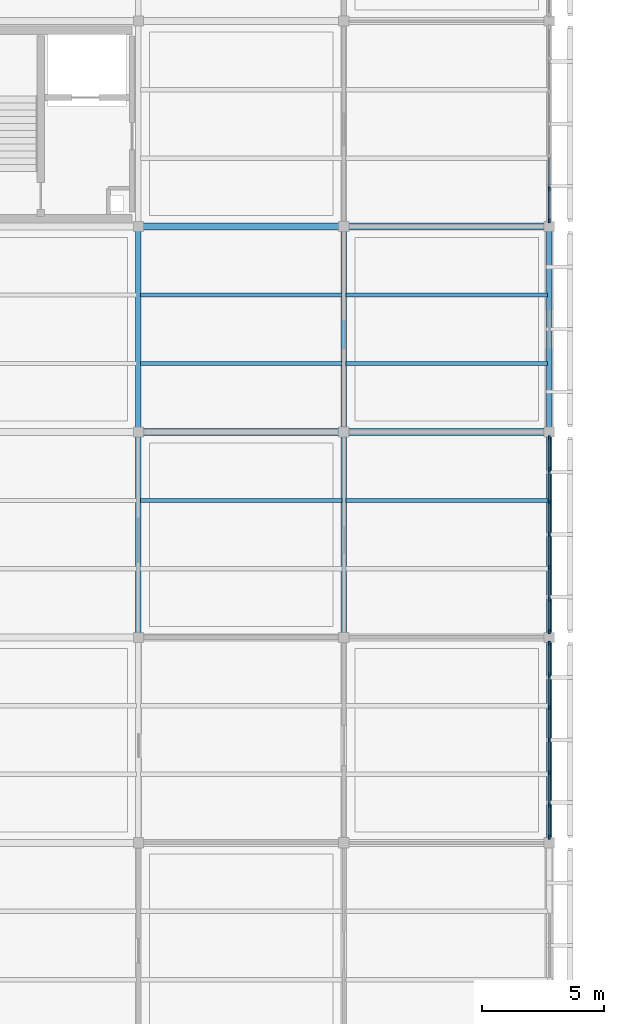
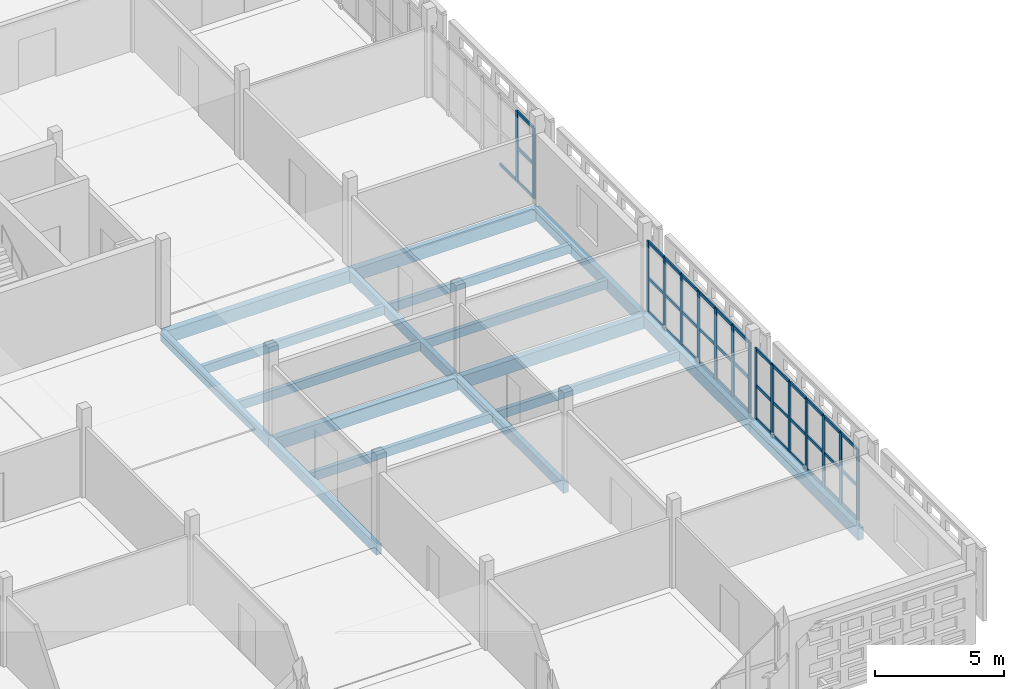
# One storey, part 70 of 166: 56 members, 17 beams, 3 elements without a shape of their own.
"""IFC4 building model written with IfcOpenShell, lengths in metres."""

from ifc_helpers import new_model, si_unit, direction, frame, origin, origin_2d, place, context, subcontext, project, spatial, rectangle, extrude, material, layer, layer_set, material_profile, profile_set, type_object, element, aggregate, save


model = new_model("IFC4")

# Units and contexts
model_context = context("Model", 3, precision=1e-05, world=origin(), true_north=direction((0.0, 1.0)))
body_context = subcontext(model_context, "Body", "Model", "MODEL_VIEW")
ifc_project = project(units=[si_unit("LENGTHUNIT", "METRE"), si_unit("AREAUNIT", "SQUARE_METRE"), si_unit("VOLUMEUNIT", "CUBIC_METRE"), si_unit("PLANEANGLEUNIT", "RADIAN"), si_unit("MASSUNIT", "GRAM", prefix="KILO")], contexts=[model_context])

# Site, building, storey
site_placement = place(None, origin())
site = spatial("IfcSite", under=ifc_project, at=site_placement, CompositionType="ELEMENT")
building_placement = place(site_placement, origin())
building = spatial("IfcBuilding", under=site, at=building_placement, Name="Varnapada Polytechnic", CompositionType="ELEMENT")
storey_placement = place(building_placement, frame((0.0, 0.0, 9.60009765625)))
storey = spatial("IfcBuildingStorey", under=building, at=storey_placement, Name="L02", CompositionType="ELEMENT", Elevation=9.60009765625)

# Curtain wall, members
ifc_material_1 = material(Name="Double low-E laminated glass", Category="glass")
ifc_layer = layer(ifc_material_1, 0.179931640625)
ifc_layer_set = layer_set([ifc_layer], Name="Double low-E laminated glass")
curtain_wall_type = type_object("IfcCurtainWallType", Name="Curtain Wall CW-04", PredefinedType="NOTDEFINED", material=ifc_layer_set)
curtain_wall_1_placement = place(storey_placement, origin())
curtain_wall_1 = element("IfcCurtainWall", 1, at=curtain_wall_1_placement, inside=storey, type_object=curtain_wall_type, Name="L02 unitised curtain wall CW-04 (201)", PredefinedType="NOTDEFINED")
ifc_material_2 = material(Name="Anodised aluminium", Category="aluminium")
ifc_material_profile_1 = material_profile(ifc_material_2, rectangle(XDim=0.06494140625, YDim=0.179931640625, at=origin_2d()), Name="ALU M65x180")
ifc_profile_set_1 = profile_set([ifc_material_profile_1], Name="Anodised aluminium")
member_type_1 = type_object("IfcMemberType", Name="Mullion M-02", PredefinedType="MULLION", material=ifc_profile_set_1)
member_1_placement = place(storey_placement, frame((176.39990234375, 75.357421875, 0.0), z_axis=(0.0, 0.0, 1.0), x_axis=(1.0, 0.0, 0.0)))
member_1 = element("IfcMember", 2, at=member_1_placement, type_object=member_type_1, Name="CW-04 mullion 1", PredefinedType="MULLION", context=body_context, shape_type="SweptSolid", body=[
    extrude(rectangle(XDim=0.06494140625, YDim=0.179931640625, at=origin_2d()), origin(), (0.0, 0.0, 1.0), 3.35986328125),
])
member_2_placement = place(storey_placement, frame((176.39990234375, 74.06005859375, 0.0), z_axis=(0.0, 0.0, 1.0), x_axis=(1.0, 0.0, 0.0)))
member_2 = element("IfcMember", 3, at=member_2_placement, type_object=member_type_1, Name="CW-04 mullion 2", PredefinedType="MULLION", context=body_context, shape_type="SweptSolid", body=[
    extrude(rectangle(XDim=0.06494140625, YDim=0.179931640625, at=origin_2d()), origin(), (0.0, 0.0, 1.0), 3.35986328125),
])
member_3_placement = place(storey_placement, frame((176.39990234375, 72.72998046875, 0.0), z_axis=(0.0, 0.0, 1.0), x_axis=(1.0, 0.0, 0.0)))
member_3 = element("IfcMember", 4, at=member_3_placement, type_object=member_type_1, Name="CW-04 mullion 3", PredefinedType="MULLION", context=body_context, shape_type="SweptSolid", body=[
    extrude(rectangle(XDim=0.06494140625, YDim=0.179931640625, at=origin_2d()), origin(), (0.0, 0.0, 1.0), 3.35986328125),
])
member_4_placement = place(storey_placement, frame((176.39990234375, 71.39990234375, 0.0), z_axis=(0.0, 0.0, 1.0), x_axis=(1.0, 0.0, 0.0)))
member_4 = element("IfcMember", 5, at=member_4_placement, type_object=member_type_1, Name="CW-04 mullion 4", PredefinedType="MULLION", context=body_context, shape_type="SweptSolid", body=[
    extrude(rectangle(XDim=0.06494140625, YDim=0.179931640625, at=origin_2d()), origin(), (0.0, 0.0, 1.0), 3.35986328125),
])
member_5_placement = place(storey_placement, frame((176.39990234375, 70.070068359375, 0.0), z_axis=(0.0, 0.0, 1.0), x_axis=(1.0, 0.0, 0.0)))
member_5 = element("IfcMember", 6, at=member_5_placement, type_object=member_type_1, Name="CW-04 mullion 5", PredefinedType="MULLION", context=body_context, shape_type="SweptSolid", body=[
    extrude(rectangle(XDim=0.06494140625, YDim=0.179931640625, at=origin_2d()), origin(), (0.0, 0.0, 1.0), 3.35986328125),
])
member_6_placement = place(storey_placement, frame((176.39990234375, 68.739990234375, 0.0), z_axis=(0.0, 0.0, 1.0), x_axis=(1.0, 0.0, 0.0)))
member_6 = element("IfcMember", 7, at=member_6_placement, type_object=member_type_1, Name="CW-04 mullion 6", PredefinedType="MULLION", context=body_context, shape_type="SweptSolid", body=[
    extrude(rectangle(XDim=0.06494140625, YDim=0.179931640625, at=origin_2d()), origin(), (0.0, 0.0, 1.0), 3.35986328125),
])
member_7_placement = place(storey_placement, frame((176.39990234375, 67.4423828125, 0.0), z_axis=(0.0, 0.0, 1.0), x_axis=(1.0, 0.0, 0.0)))
member_7 = element("IfcMember", 8, at=member_7_placement, type_object=member_type_1, Name="CW-04 mullion 7", PredefinedType="MULLION", context=body_context, shape_type="SweptSolid", body=[
    extrude(rectangle(XDim=0.06494140625, YDim=0.179931640625, at=origin_2d()), origin(), (0.0, 0.0, 1.0), 3.35986328125),
])

curtain_wall_2_placement = place(storey_placement, origin())
curtain_wall_2 = element("IfcCurtainWall", 9, at=curtain_wall_2_placement, inside=storey, type_object=curtain_wall_type, Name="L02 unitised curtain wall CW-04 (202)", PredefinedType="NOTDEFINED")
member_8_placement = place(storey_placement, frame((176.39990234375, 83.757568359375, 0.0), z_axis=(0.0, 0.0, 1.0), x_axis=(1.0, 0.0, 0.0)))
member_8 = element("IfcMember", 10, at=member_8_placement, type_object=member_type_1, Name="CW-04 mullion 1", PredefinedType="MULLION", context=body_context, shape_type="SweptSolid", body=[
    extrude(rectangle(XDim=0.06494140625, YDim=0.179931640625, at=origin_2d()), origin(), (0.0, 0.0, 1.0), 3.35986328125),
])
member_9_placement = place(storey_placement, frame((176.39990234375, 82.4599609375, 0.0), z_axis=(0.0, 0.0, 1.0), x_axis=(1.0, 0.0, 0.0)))
member_9 = element("IfcMember", 11, at=member_9_placement, type_object=member_type_1, Name="CW-04 mullion 2", PredefinedType="MULLION", context=body_context, shape_type="SweptSolid", body=[
    extrude(rectangle(XDim=0.06494140625, YDim=0.179931640625, at=origin_2d()), origin(), (0.0, 0.0, 1.0), 3.35986328125),
])
member_10_placement = place(storey_placement, frame((176.39990234375, 81.1298828125, 0.0), z_axis=(0.0, 0.0, 1.0), x_axis=(1.0, 0.0, 0.0)))
member_10 = element("IfcMember", 12, at=member_10_placement, type_object=member_type_1, Name="CW-04 mullion 3", PredefinedType="MULLION", context=body_context, shape_type="SweptSolid", body=[
    extrude(rectangle(XDim=0.06494140625, YDim=0.179931640625, at=origin_2d()), origin(), (0.0, 0.0, 1.0), 3.35986328125),
])
member_11_placement = place(storey_placement, frame((176.39990234375, 79.800048828125, 0.0), z_axis=(0.0, 0.0, 1.0), x_axis=(1.0, 0.0, 0.0)))
member_11 = element("IfcMember", 13, at=member_11_placement, type_object=member_type_1, Name="CW-04 mullion 4", PredefinedType="MULLION", context=body_context, shape_type="SweptSolid", body=[
    extrude(rectangle(XDim=0.06494140625, YDim=0.179931640625, at=origin_2d()), origin(), (0.0, 0.0, 1.0), 3.35986328125),
])
member_12_placement = place(storey_placement, frame((176.39990234375, 78.469970703125, 0.0), z_axis=(0.0, 0.0, 1.0), x_axis=(1.0, 0.0, 0.0)))
member_12 = element("IfcMember", 14, at=member_12_placement, type_object=member_type_1, Name="CW-04 mullion 5", PredefinedType="MULLION", context=body_context, shape_type="SweptSolid", body=[
    extrude(rectangle(XDim=0.06494140625, YDim=0.179931640625, at=origin_2d()), origin(), (0.0, 0.0, 1.0), 3.35986328125),
])
member_13_placement = place(storey_placement, frame((176.39990234375, 77.139892578125, 0.0), z_axis=(0.0, 0.0, 1.0), x_axis=(1.0, 0.0, 0.0)))
member_13 = element("IfcMember", 15, at=member_13_placement, type_object=member_type_1, Name="CW-04 mullion 6", PredefinedType="MULLION", context=body_context, shape_type="SweptSolid", body=[
    extrude(rectangle(XDim=0.06494140625, YDim=0.179931640625, at=origin_2d()), origin(), (0.0, 0.0, 1.0), 3.35986328125),
])
member_14_placement = place(storey_placement, frame((176.39990234375, 75.842529296875, 0.0), z_axis=(0.0, 0.0, 1.0), x_axis=(1.0, 0.0, 0.0)))
member_14 = element("IfcMember", 16, at=member_14_placement, type_object=member_type_1, Name="CW-04 mullion 7", PredefinedType="MULLION", context=body_context, shape_type="SweptSolid", body=[
    extrude(rectangle(XDim=0.06494140625, YDim=0.179931640625, at=origin_2d()), origin(), (0.0, 0.0, 1.0), 3.35986328125),
])

curtain_wall_3_placement = place(storey_placement, origin())
curtain_wall_3 = element("IfcCurtainWall", 17, at=curtain_wall_3_placement, inside=storey, type_object=curtain_wall_type, Name="L02 unitised curtain wall CW-04 (203)", PredefinedType="NOTDEFINED")
member_15_placement = place(storey_placement, frame((176.39990234375, 93.93994140625, 0.0), z_axis=(0.0, 0.0, 1.0), x_axis=(1.0, 0.0, 0.0)))
member_15 = element("IfcMember", 18, at=member_15_placement, type_object=member_type_1, Name="CW-04 mullion 6", PredefinedType="MULLION", context=body_context, shape_type="SweptSolid", body=[
    extrude(rectangle(XDim=0.06494140625, YDim=0.179931640625, at=origin_2d()), origin(), (0.0, 0.0, 1.0), 3.35986328125),
])
member_16_placement = place(storey_placement, frame((176.39990234375, 92.642578125, 0.0), z_axis=(0.0, 0.0, 1.0), x_axis=(1.0, 0.0, 0.0)))
member_16 = element("IfcMember", 19, at=member_16_placement, type_object=member_type_1, Name="CW-04 mullion 7", PredefinedType="MULLION", context=body_context, shape_type="SweptSolid", body=[
    extrude(rectangle(XDim=0.06494140625, YDim=0.179931640625, at=origin_2d()), origin(), (0.0, 0.0, 1.0), 3.35986328125),
])

# Beams
ifc_material_3 = material(Name="Glulam GL32h", Category="wood")
ifc_material_profile_2 = material_profile(ifc_material_3, rectangle(XDim=0.239990234375, YDim=0.56005859375, at=origin_2d()), Name="GL 240x560")
ifc_profile_set_2 = profile_set([ifc_material_profile_2], Name="Glulam GL32h")
beam_type_1 = type_object("IfcBeamType", Name="Perimeter glulam spandrel beam SP-02 (GL 240x560)", PredefinedType="SPANDREL", material=ifc_profile_set_2)
beam_placement = place(storey_placement, frame((176.39990234375, 67.199951171875, -0.530029296875), z_axis=(0.0, 1.0, 0.0), x_axis=(-1.0, 0.0, 0.0)))
element("IfcBeam", 20, at=beam_placement, inside=storey, type_object=beam_type_1, Name="L02 beam Y 9-10 at X22", PredefinedType="SPANDREL", context=body_context, shape_type="SweptSolid", body=[
    extrude(rectangle(XDim=0.239990234375, YDim=0.56005859375, at=origin_2d()), origin(), (0.0, 0.0, 1.0), 8.400146484375),
])
for number, where, z_axis, x_axis, name in (
    (21, (176.39990234375, 75.60009765625, -0.530029296875), (0.0, 1.0, 0.0), (-1.0, 0.0, 0.0), "L02 beam Y 10-11 at X22"),
    (22, (176.39990234375, 84.0, -0.530029296875), (0.0, 1.0, 0.0), (-1.0, 0.0, 0.0), "L02 beam Y 11-12 at X22"),
):
    element("IfcBeam", number, at=place(storey_placement, frame(where, z_axis=z_axis, x_axis=x_axis)), inside=storey, type_object=beam_type_1, Name=name, PredefinedType="SPANDREL", context=body_context, shape_type="SweptSolid", body=[
        extrude(rectangle(XDim=0.239990234375, YDim=0.56005859375, at=origin_2d()), origin(), (0.0, 0.0, 1.0), 8.39990234375),
    ])
ifc_material_profile_3 = material_profile(ifc_material_3, rectangle(XDim=0.280029296875, YDim=0.60009765625, at=origin_2d()), Name="GL 280x600")
ifc_profile_set_3 = profile_set([ifc_material_profile_3], Name="Glulam GL32h")
beam_type_2 = type_object("IfcBeamType", Name="Reading hall glulam girder GG-08 (GL 280x600)", PredefinedType="BEAM", material=ifc_profile_set_3)
for number, where, z_axis, x_axis, name in (
    (23, (159.60009765625, 84.0, -0.550048828125), (1.0, 0.0, 0.0), (0.0, 1.0, 0.0), "L02 beam X 20-21 at Y11"),
    (24, (159.60009765625, 92.39990234375, -0.550048828125), (1.0, 0.0, 0.0), (0.0, 1.0, 0.0), "L02 beam X 20-21 at Y12"),
    (25, (168.0, 84.0, -0.550048828125), (1.0, 0.0, 0.0), (0.0, 1.0, 0.0), "L02 beam X 21-22 at Y11"),
    (26, (168.0, 92.39990234375, -0.550048828125), (1.0, 0.0, 0.0), (0.0, 1.0, 0.0), "L02 beam X 21-22 at Y12"),
):
    element("IfcBeam", number, at=place(storey_placement, frame(where, z_axis=z_axis, x_axis=x_axis)), inside=storey, type_object=beam_type_2, Name=name, PredefinedType="BEAM", context=body_context, shape_type="SweptSolid", body=[
        extrude(rectangle(XDim=0.280029296875, YDim=0.60009765625, at=origin_2d()), origin(), (0.0, 0.0, 1.0), 8.39990234375),
    ])
ifc_material_profile_4 = material_profile(ifc_material_3, rectangle(XDim=0.179931640625, YDim=0.419921875, at=origin_2d()), Name="GL 180x420")
ifc_profile_set_4 = profile_set([ifc_material_profile_4], Name="Glulam GL32h")
beam_type_3 = type_object("IfcBeamType", Name="Reading hall glulam joist GJ-04 (GL 180x420)", PredefinedType="JOIST", material=ifc_profile_set_4)
for number, where, z_axis, x_axis, name in (
    (27, (159.679931640625, 81.199951171875, -0.460205078125), (1.0, 0.0, 0.0), (0.0, 1.0, 0.0), "L02 floor joist 20/10.2"),
    (28, (159.679931640625, 86.800048828125, -0.460205078125), (1.0, 0.0, 0.0), (0.0, 1.0, 0.0), "L02 floor joist 20/11.1"),
    (29, (159.679931640625, 89.60009765625, -0.460205078125), (1.0, 0.0, 0.0), (0.0, 1.0, 0.0), "L02 floor joist 20/11.2"),
    (30, (168.080078125, 81.199951171875, -0.460205078125), (1.0, 0.0, 0.0), (0.0, 1.0, 0.0), "L02 floor joist 21/10.2"),
    (31, (168.080078125, 86.800048828125, -0.460205078125), (1.0, 0.0, 0.0), (0.0, 1.0, 0.0), "L02 floor joist 21/11.1"),
    (32, (168.080078125, 89.60009765625, -0.460205078125), (1.0, 0.0, 0.0), (0.0, 1.0, 0.0), "L02 floor joist 21/11.2"),
):
    element("IfcBeam", number, at=place(storey_placement, frame(where, z_axis=z_axis, x_axis=x_axis)), inside=storey, type_object=beam_type_3, Name=name, PredefinedType="JOIST", context=body_context, shape_type="SweptSolid", body=[
        extrude(rectangle(XDim=0.179931640625, YDim=0.419921875, at=origin_2d()), origin(), (0.0, 0.0, 1.0), 8.239990234375),
    ])

# Member
ifc_material_profile_5 = material_profile(ifc_material_2, rectangle(XDim=0.06494140625, YDim=0.139892578125, at=origin_2d()), Name="ALU T65x140")
ifc_profile_set_5 = profile_set([ifc_material_profile_5], Name="Anodised aluminium")
member_type_2 = type_object("IfcMemberType", Name="Transom T-02", PredefinedType="USERDEFINED", material=ifc_profile_set_5)
member_17_placement = place(storey_placement, frame((176.39990234375, 75.324951171875, 0.032470703125), z_axis=(0.0, -1.0, 0.0), x_axis=(1.0, 0.0, 0.0)))
member_17 = element("IfcMember", 33, at=member_17_placement, type_object=member_type_2, Name="CW-04 transom 1.1", ObjectType="TRANSOM", PredefinedType="USERDEFINED", context=body_context, shape_type="SweptSolid", body=[
    extrude(rectangle(XDim=0.06494140625, YDim=0.139892578125, at=origin_2d()), origin(), (0.0, 0.0, 1.0), 1.232421875),
])

member_18_placement = place(storey_placement, frame((176.39990234375, 75.324951171875, 1.61279296875), z_axis=(0.0, -1.0, 0.0), x_axis=(1.0, 0.0, 0.0)))
member_18 = element("IfcMember", 34, at=member_18_placement, type_object=member_type_2, Name="CW-04 transom 1.2", ObjectType="TRANSOM", PredefinedType="USERDEFINED", context=body_context, shape_type="SweptSolid", body=[
    extrude(rectangle(XDim=0.06494140625, YDim=0.139892578125, at=origin_2d()), origin(), (0.0, 0.0, 1.0), 1.232421875),
])

member_19_placement = place(storey_placement, frame((176.39990234375, 75.324951171875, 3.327392578125), z_axis=(0.0, -1.0, 0.0), x_axis=(1.0, 0.0, 0.0)))
member_19 = element("IfcMember", 35, at=member_19_placement, type_object=member_type_2, Name="CW-04 transom 1.3", ObjectType="TRANSOM", PredefinedType="USERDEFINED", context=body_context, shape_type="SweptSolid", body=[
    extrude(rectangle(XDim=0.06494140625, YDim=0.139892578125, at=origin_2d()), origin(), (0.0, 0.0, 1.0), 1.232421875),
])

member_20_placement = place(storey_placement, frame((176.39990234375, 74.027587890625, 0.032470703125), z_axis=(0.0, -1.0, 0.0), x_axis=(1.0, 0.0, 0.0)))
member_20 = element("IfcMember", 36, at=member_20_placement, type_object=member_type_2, Name="CW-04 transom 2.1", ObjectType="TRANSOM", PredefinedType="USERDEFINED", context=body_context, shape_type="SweptSolid", body=[
    extrude(rectangle(XDim=0.06494140625, YDim=0.139892578125, at=origin_2d()), origin(), (0.0, 0.0, 1.0), 1.26513671875),
])

member_21_placement = place(storey_placement, frame((176.39990234375, 74.027587890625, 1.61279296875), z_axis=(0.0, -1.0, 0.0), x_axis=(1.0, 0.0, 0.0)))
member_21 = element("IfcMember", 37, at=member_21_placement, type_object=member_type_2, Name="CW-04 transom 2.2", ObjectType="TRANSOM", PredefinedType="USERDEFINED", context=body_context, shape_type="SweptSolid", body=[
    extrude(rectangle(XDim=0.06494140625, YDim=0.139892578125, at=origin_2d()), origin(), (0.0, 0.0, 1.0), 1.26513671875),
])

member_22_placement = place(storey_placement, frame((176.39990234375, 74.027587890625, 3.327392578125), z_axis=(0.0, -1.0, 0.0), x_axis=(1.0, 0.0, 0.0)))
member_22 = element("IfcMember", 38, at=member_22_placement, type_object=member_type_2, Name="CW-04 transom 2.3", ObjectType="TRANSOM", PredefinedType="USERDEFINED", context=body_context, shape_type="SweptSolid", body=[
    extrude(rectangle(XDim=0.06494140625, YDim=0.139892578125, at=origin_2d()), origin(), (0.0, 0.0, 1.0), 1.26513671875),
])

member_23_placement = place(storey_placement, frame((176.39990234375, 72.697509765625, 0.032470703125), z_axis=(0.0, -1.0, 0.0), x_axis=(1.0, 0.0, 0.0)))
member_23 = element("IfcMember", 39, at=member_23_placement, type_object=member_type_2, Name="CW-04 transom 3.1", ObjectType="TRANSOM", PredefinedType="USERDEFINED", context=body_context, shape_type="SweptSolid", body=[
    extrude(rectangle(XDim=0.06494140625, YDim=0.139892578125, at=origin_2d()), origin(), (0.0, 0.0, 1.0), 1.264892578125),
])

member_24_placement = place(storey_placement, frame((176.39990234375, 72.697509765625, 1.61279296875), z_axis=(0.0, -1.0, 0.0), x_axis=(1.0, 0.0, 0.0)))
member_24 = element("IfcMember", 40, at=member_24_placement, type_object=member_type_2, Name="CW-04 transom 3.2", ObjectType="TRANSOM", PredefinedType="USERDEFINED", context=body_context, shape_type="SweptSolid", body=[
    extrude(rectangle(XDim=0.06494140625, YDim=0.139892578125, at=origin_2d()), origin(), (0.0, 0.0, 1.0), 1.264892578125),
])

member_25_placement = place(storey_placement, frame((176.39990234375, 72.697509765625, 3.327392578125), z_axis=(0.0, -1.0, 0.0), x_axis=(1.0, 0.0, 0.0)))
member_25 = element("IfcMember", 41, at=member_25_placement, type_object=member_type_2, Name="CW-04 transom 3.3", ObjectType="TRANSOM", PredefinedType="USERDEFINED", context=body_context, shape_type="SweptSolid", body=[
    extrude(rectangle(XDim=0.06494140625, YDim=0.139892578125, at=origin_2d()), origin(), (0.0, 0.0, 1.0), 1.264892578125),
])

member_26_placement = place(storey_placement, frame((176.39990234375, 71.367431640625, 0.032470703125), z_axis=(0.0, -1.0, 0.0), x_axis=(1.0, 0.0, 0.0)))
member_26 = element("IfcMember", 42, at=member_26_placement, type_object=member_type_2, Name="CW-04 transom 4.1", ObjectType="TRANSOM", PredefinedType="USERDEFINED", context=body_context, shape_type="SweptSolid", body=[
    extrude(rectangle(XDim=0.06494140625, YDim=0.139892578125, at=origin_2d()), origin(), (0.0, 0.0, 1.0), 1.264892578125),
])

member_27_placement = place(storey_placement, frame((176.39990234375, 71.367431640625, 1.61279296875), z_axis=(0.0, -1.0, 0.0), x_axis=(1.0, 0.0, 0.0)))
member_27 = element("IfcMember", 43, at=member_27_placement, type_object=member_type_2, Name="CW-04 transom 4.2", ObjectType="TRANSOM", PredefinedType="USERDEFINED", context=body_context, shape_type="SweptSolid", body=[
    extrude(rectangle(XDim=0.06494140625, YDim=0.139892578125, at=origin_2d()), origin(), (0.0, 0.0, 1.0), 1.264892578125),
])

member_28_placement = place(storey_placement, frame((176.39990234375, 71.367431640625, 3.327392578125), z_axis=(0.0, -1.0, 0.0), x_axis=(1.0, 0.0, 0.0)))
member_28 = element("IfcMember", 44, at=member_28_placement, type_object=member_type_2, Name="CW-04 transom 4.3", ObjectType="TRANSOM", PredefinedType="USERDEFINED", context=body_context, shape_type="SweptSolid", body=[
    extrude(rectangle(XDim=0.06494140625, YDim=0.139892578125, at=origin_2d()), origin(), (0.0, 0.0, 1.0), 1.264892578125),
])

member_29_placement = place(storey_placement, frame((176.39990234375, 70.03759765625, 0.032470703125), z_axis=(0.0, -1.0, 0.0), x_axis=(1.0, 0.0, 0.0)))
member_29 = element("IfcMember", 45, at=member_29_placement, type_object=member_type_2, Name="CW-04 transom 5.1", ObjectType="TRANSOM", PredefinedType="USERDEFINED", context=body_context, shape_type="SweptSolid", body=[
    extrude(rectangle(XDim=0.06494140625, YDim=0.139892578125, at=origin_2d()), origin(), (0.0, 0.0, 1.0), 1.26513671875),
])

member_30_placement = place(storey_placement, frame((176.39990234375, 70.03759765625, 1.61279296875), z_axis=(0.0, -1.0, 0.0), x_axis=(1.0, 0.0, 0.0)))
member_30 = element("IfcMember", 46, at=member_30_placement, type_object=member_type_2, Name="CW-04 transom 5.2", ObjectType="TRANSOM", PredefinedType="USERDEFINED", context=body_context, shape_type="SweptSolid", body=[
    extrude(rectangle(XDim=0.06494140625, YDim=0.139892578125, at=origin_2d()), origin(), (0.0, 0.0, 1.0), 1.26513671875),
])

member_31_placement = place(storey_placement, frame((176.39990234375, 70.03759765625, 3.327392578125), z_axis=(0.0, -1.0, 0.0), x_axis=(1.0, 0.0, 0.0)))
member_31 = element("IfcMember", 47, at=member_31_placement, type_object=member_type_2, Name="CW-04 transom 5.3", ObjectType="TRANSOM", PredefinedType="USERDEFINED", context=body_context, shape_type="SweptSolid", body=[
    extrude(rectangle(XDim=0.06494140625, YDim=0.139892578125, at=origin_2d()), origin(), (0.0, 0.0, 1.0), 1.26513671875),
])

member_32_placement = place(storey_placement, frame((176.39990234375, 68.70751953125, 0.032470703125), z_axis=(0.0, -1.0, 0.0), x_axis=(1.0, 0.0, 0.0)))
member_32 = element("IfcMember", 48, at=member_32_placement, type_object=member_type_2, Name="CW-04 transom 6.1", ObjectType="TRANSOM", PredefinedType="USERDEFINED", context=body_context, shape_type="SweptSolid", body=[
    extrude(rectangle(XDim=0.06494140625, YDim=0.139892578125, at=origin_2d()), origin(), (0.0, 0.0, 1.0), 1.232421875),
])

member_33_placement = place(storey_placement, frame((176.39990234375, 68.70751953125, 1.61279296875), z_axis=(0.0, -1.0, 0.0), x_axis=(1.0, 0.0, 0.0)))
member_33 = element("IfcMember", 49, at=member_33_placement, type_object=member_type_2, Name="CW-04 transom 6.2", ObjectType="TRANSOM", PredefinedType="USERDEFINED", context=body_context, shape_type="SweptSolid", body=[
    extrude(rectangle(XDim=0.06494140625, YDim=0.139892578125, at=origin_2d()), origin(), (0.0, 0.0, 1.0), 1.232421875),
])

member_34_placement = place(storey_placement, frame((176.39990234375, 68.70751953125, 3.327392578125), z_axis=(0.0, -1.0, 0.0), x_axis=(1.0, 0.0, 0.0)))
member_34 = element("IfcMember", 50, at=member_34_placement, type_object=member_type_2, Name="CW-04 transom 6.3", ObjectType="TRANSOM", PredefinedType="USERDEFINED", context=body_context, shape_type="SweptSolid", body=[
    extrude(rectangle(XDim=0.06494140625, YDim=0.139892578125, at=origin_2d()), origin(), (0.0, 0.0, 1.0), 1.232421875),
])

aggregate(curtain_wall_1, [member_1, member_2, member_3, member_4, member_5, member_6, member_7, member_17, member_18, member_19, member_20, member_21, member_22, member_23, member_24, member_25, member_26, member_27, member_28, member_29, member_30, member_31, member_32, member_33, member_34])

member_35_placement = place(storey_placement, frame((176.39990234375, 83.72509765625, 0.032470703125), z_axis=(0.0, -1.0, 0.0), x_axis=(1.0, 0.0, 0.0)))
member_35 = element("IfcMember", 51, at=member_35_placement, type_object=member_type_2, Name="CW-04 transom 1.1", ObjectType="TRANSOM", PredefinedType="USERDEFINED", context=body_context, shape_type="SweptSolid", body=[
    extrude(rectangle(XDim=0.06494140625, YDim=0.139892578125, at=origin_2d()), origin(), (0.0, 0.0, 1.0), 1.232666015625),
])

member_36_placement = place(storey_placement, frame((176.39990234375, 83.72509765625, 1.61279296875), z_axis=(0.0, -1.0, 0.0), x_axis=(1.0, 0.0, 0.0)))
member_36 = element("IfcMember", 52, at=member_36_placement, type_object=member_type_2, Name="CW-04 transom 1.2", ObjectType="TRANSOM", PredefinedType="USERDEFINED", context=body_context, shape_type="SweptSolid", body=[
    extrude(rectangle(XDim=0.06494140625, YDim=0.139892578125, at=origin_2d()), origin(), (0.0, 0.0, 1.0), 1.232666015625),
])

member_37_placement = place(storey_placement, frame((176.39990234375, 83.72509765625, 3.327392578125), z_axis=(0.0, -1.0, 0.0), x_axis=(1.0, 0.0, 0.0)))
member_37 = element("IfcMember", 53, at=member_37_placement, type_object=member_type_2, Name="CW-04 transom 1.3", ObjectType="TRANSOM", PredefinedType="USERDEFINED", context=body_context, shape_type="SweptSolid", body=[
    extrude(rectangle(XDim=0.06494140625, YDim=0.139892578125, at=origin_2d()), origin(), (0.0, 0.0, 1.0), 1.232666015625),
])

member_38_placement = place(storey_placement, frame((176.39990234375, 82.427490234375, 0.032470703125), z_axis=(0.0, -1.0, 0.0), x_axis=(1.0, 0.0, 0.0)))
member_38 = element("IfcMember", 54, at=member_38_placement, type_object=member_type_2, Name="CW-04 transom 2.1", ObjectType="TRANSOM", PredefinedType="USERDEFINED", context=body_context, shape_type="SweptSolid", body=[
    extrude(rectangle(XDim=0.06494140625, YDim=0.139892578125, at=origin_2d()), origin(), (0.0, 0.0, 1.0), 1.264892578125),
])

member_39_placement = place(storey_placement, frame((176.39990234375, 82.427490234375, 1.61279296875), z_axis=(0.0, -1.0, 0.0), x_axis=(1.0, 0.0, 0.0)))
member_39 = element("IfcMember", 55, at=member_39_placement, type_object=member_type_2, Name="CW-04 transom 2.2", ObjectType="TRANSOM", PredefinedType="USERDEFINED", context=body_context, shape_type="SweptSolid", body=[
    extrude(rectangle(XDim=0.06494140625, YDim=0.139892578125, at=origin_2d()), origin(), (0.0, 0.0, 1.0), 1.264892578125),
])

member_40_placement = place(storey_placement, frame((176.39990234375, 82.427490234375, 3.327392578125), z_axis=(0.0, -1.0, 0.0), x_axis=(1.0, 0.0, 0.0)))
member_40 = element("IfcMember", 56, at=member_40_placement, type_object=member_type_2, Name="CW-04 transom 2.3", ObjectType="TRANSOM", PredefinedType="USERDEFINED", context=body_context, shape_type="SweptSolid", body=[
    extrude(rectangle(XDim=0.06494140625, YDim=0.139892578125, at=origin_2d()), origin(), (0.0, 0.0, 1.0), 1.264892578125),
])

member_41_placement = place(storey_placement, frame((176.39990234375, 81.097412109375, 0.032470703125), z_axis=(0.0, -1.0, 0.0), x_axis=(1.0, 0.0, 0.0)))
member_41 = element("IfcMember", 57, at=member_41_placement, type_object=member_type_2, Name="CW-04 transom 3.1", ObjectType="TRANSOM", PredefinedType="USERDEFINED", context=body_context, shape_type="SweptSolid", body=[
    extrude(rectangle(XDim=0.06494140625, YDim=0.139892578125, at=origin_2d()), origin(), (0.0, 0.0, 1.0), 1.264892578125),
])

member_42_placement = place(storey_placement, frame((176.39990234375, 81.097412109375, 1.61279296875), z_axis=(0.0, -1.0, 0.0), x_axis=(1.0, 0.0, 0.0)))
member_42 = element("IfcMember", 58, at=member_42_placement, type_object=member_type_2, Name="CW-04 transom 3.2", ObjectType="TRANSOM", PredefinedType="USERDEFINED", context=body_context, shape_type="SweptSolid", body=[
    extrude(rectangle(XDim=0.06494140625, YDim=0.139892578125, at=origin_2d()), origin(), (0.0, 0.0, 1.0), 1.264892578125),
])

member_43_placement = place(storey_placement, frame((176.39990234375, 81.097412109375, 3.327392578125), z_axis=(0.0, -1.0, 0.0), x_axis=(1.0, 0.0, 0.0)))
member_43 = element("IfcMember", 59, at=member_43_placement, type_object=member_type_2, Name="CW-04 transom 3.3", ObjectType="TRANSOM", PredefinedType="USERDEFINED", context=body_context, shape_type="SweptSolid", body=[
    extrude(rectangle(XDim=0.06494140625, YDim=0.139892578125, at=origin_2d()), origin(), (0.0, 0.0, 1.0), 1.264892578125),
])

member_44_placement = place(storey_placement, frame((176.39990234375, 79.767578125, 0.032470703125), z_axis=(0.0, -1.0, 0.0), x_axis=(1.0, 0.0, 0.0)))
member_44 = element("IfcMember", 60, at=member_44_placement, type_object=member_type_2, Name="CW-04 transom 4.1", ObjectType="TRANSOM", PredefinedType="USERDEFINED", context=body_context, shape_type="SweptSolid", body=[
    extrude(rectangle(XDim=0.06494140625, YDim=0.139892578125, at=origin_2d()), origin(), (0.0, 0.0, 1.0), 1.26513671875),
])

member_45_placement = place(storey_placement, frame((176.39990234375, 79.767578125, 1.61279296875), z_axis=(0.0, -1.0, 0.0), x_axis=(1.0, 0.0, 0.0)))
member_45 = element("IfcMember", 61, at=member_45_placement, type_object=member_type_2, Name="CW-04 transom 4.2", ObjectType="TRANSOM", PredefinedType="USERDEFINED", context=body_context, shape_type="SweptSolid", body=[
    extrude(rectangle(XDim=0.06494140625, YDim=0.139892578125, at=origin_2d()), origin(), (0.0, 0.0, 1.0), 1.26513671875),
])

member_46_placement = place(storey_placement, frame((176.39990234375, 79.767578125, 3.327392578125), z_axis=(0.0, -1.0, 0.0), x_axis=(1.0, 0.0, 0.0)))
member_46 = element("IfcMember", 62, at=member_46_placement, type_object=member_type_2, Name="CW-04 transom 4.3", ObjectType="TRANSOM", PredefinedType="USERDEFINED", context=body_context, shape_type="SweptSolid", body=[
    extrude(rectangle(XDim=0.06494140625, YDim=0.139892578125, at=origin_2d()), origin(), (0.0, 0.0, 1.0), 1.26513671875),
])

member_47_placement = place(storey_placement, frame((176.39990234375, 78.4375, 0.032470703125), z_axis=(0.0, -1.0, 0.0), x_axis=(1.0, 0.0, 0.0)))
member_47 = element("IfcMember", 63, at=member_47_placement, type_object=member_type_2, Name="CW-04 transom 5.1", ObjectType="TRANSOM", PredefinedType="USERDEFINED", context=body_context, shape_type="SweptSolid", body=[
    extrude(rectangle(XDim=0.06494140625, YDim=0.139892578125, at=origin_2d()), origin(), (0.0, 0.0, 1.0), 1.264892578125),
])

member_48_placement = place(storey_placement, frame((176.39990234375, 78.4375, 1.61279296875), z_axis=(0.0, -1.0, 0.0), x_axis=(1.0, 0.0, 0.0)))
member_48 = element("IfcMember", 64, at=member_48_placement, type_object=member_type_2, Name="CW-04 transom 5.2", ObjectType="TRANSOM", PredefinedType="USERDEFINED", context=body_context, shape_type="SweptSolid", body=[
    extrude(rectangle(XDim=0.06494140625, YDim=0.139892578125, at=origin_2d()), origin(), (0.0, 0.0, 1.0), 1.264892578125),
])

member_49_placement = place(storey_placement, frame((176.39990234375, 78.4375, 3.327392578125), z_axis=(0.0, -1.0, 0.0), x_axis=(1.0, 0.0, 0.0)))
member_49 = element("IfcMember", 65, at=member_49_placement, type_object=member_type_2, Name="CW-04 transom 5.3", ObjectType="TRANSOM", PredefinedType="USERDEFINED", context=body_context, shape_type="SweptSolid", body=[
    extrude(rectangle(XDim=0.06494140625, YDim=0.139892578125, at=origin_2d()), origin(), (0.0, 0.0, 1.0), 1.264892578125),
])

member_50_placement = place(storey_placement, frame((176.39990234375, 77.107421875, 0.032470703125), z_axis=(0.0, -1.0, 0.0), x_axis=(1.0, 0.0, 0.0)))
member_50 = element("IfcMember", 66, at=member_50_placement, type_object=member_type_2, Name="CW-04 transom 6.1", ObjectType="TRANSOM", PredefinedType="USERDEFINED", context=body_context, shape_type="SweptSolid", body=[
    extrude(rectangle(XDim=0.06494140625, YDim=0.139892578125, at=origin_2d()), origin(), (0.0, 0.0, 1.0), 1.232421875),
])

member_51_placement = place(storey_placement, frame((176.39990234375, 77.107421875, 1.61279296875), z_axis=(0.0, -1.0, 0.0), x_axis=(1.0, 0.0, 0.0)))
member_51 = element("IfcMember", 67, at=member_51_placement, type_object=member_type_2, Name="CW-04 transom 6.2", ObjectType="TRANSOM", PredefinedType="USERDEFINED", context=body_context, shape_type="SweptSolid", body=[
    extrude(rectangle(XDim=0.06494140625, YDim=0.139892578125, at=origin_2d()), origin(), (0.0, 0.0, 1.0), 1.232421875),
])

member_52_placement = place(storey_placement, frame((176.39990234375, 77.107421875, 3.327392578125), z_axis=(0.0, -1.0, 0.0), x_axis=(1.0, 0.0, 0.0)))
member_52 = element("IfcMember", 68, at=member_52_placement, type_object=member_type_2, Name="CW-04 transom 6.3", ObjectType="TRANSOM", PredefinedType="USERDEFINED", context=body_context, shape_type="SweptSolid", body=[
    extrude(rectangle(XDim=0.06494140625, YDim=0.139892578125, at=origin_2d()), origin(), (0.0, 0.0, 1.0), 1.232421875),
])

aggregate(curtain_wall_2, [member_8, member_9, member_10, member_11, member_12, member_13, member_14, member_35, member_36, member_37, member_38, member_39, member_40, member_41, member_42, member_43, member_44, member_45, member_46, member_47, member_48, member_49, member_50, member_51, member_52])

member_53_placement = place(storey_placement, frame((176.39990234375, 95.237548828125, 0.032470703125), z_axis=(0.0, -1.0, 0.0), x_axis=(1.0, 0.0, 0.0)))
member_53 = element("IfcMember", 69, at=member_53_placement, type_object=member_type_2, Name="CW-04 transom 5.1", ObjectType="TRANSOM", PredefinedType="USERDEFINED", context=body_context, shape_type="SweptSolid", body=[
    extrude(rectangle(XDim=0.06494140625, YDim=0.139892578125, at=origin_2d()), origin(), (0.0, 0.0, 1.0), 1.26513671875),
])

member_54_placement = place(storey_placement, frame((176.39990234375, 93.907470703125, 0.032470703125), z_axis=(0.0, -1.0, 0.0), x_axis=(1.0, 0.0, 0.0)))
member_54 = element("IfcMember", 70, at=member_54_placement, type_object=member_type_2, Name="CW-04 transom 6.1", ObjectType="TRANSOM", PredefinedType="USERDEFINED", context=body_context, shape_type="SweptSolid", body=[
    extrude(rectangle(XDim=0.06494140625, YDim=0.139892578125, at=origin_2d()), origin(), (0.0, 0.0, 1.0), 1.232421875),
])

member_55_placement = place(storey_placement, frame((176.39990234375, 93.907470703125, 1.61279296875), z_axis=(0.0, -1.0, 0.0), x_axis=(1.0, 0.0, 0.0)))
member_55 = element("IfcMember", 71, at=member_55_placement, type_object=member_type_2, Name="CW-04 transom 6.2", ObjectType="TRANSOM", PredefinedType="USERDEFINED", context=body_context, shape_type="SweptSolid", body=[
    extrude(rectangle(XDim=0.06494140625, YDim=0.139892578125, at=origin_2d()), origin(), (0.0, 0.0, 1.0), 1.232421875),
])

member_56_placement = place(storey_placement, frame((176.39990234375, 93.907470703125, 3.327392578125), z_axis=(0.0, -1.0, 0.0), x_axis=(1.0, 0.0, 0.0)))
member_56 = element("IfcMember", 72, at=member_56_placement, type_object=member_type_2, Name="CW-04 transom 6.3", ObjectType="TRANSOM", PredefinedType="USERDEFINED", context=body_context, shape_type="SweptSolid", body=[
    extrude(rectangle(XDim=0.06494140625, YDim=0.139892578125, at=origin_2d()), origin(), (0.0, 0.0, 1.0), 1.232421875),
])

aggregate(curtain_wall_3, [member_15, member_16, member_53, member_54, member_55, member_56])

# Beams
ifc_material_profile_6 = material_profile(ifc_material_3, rectangle(XDim=0.219970703125, YDim=0.47998046875, at=origin_2d()), Name="GL 220x480")
ifc_profile_set_6 = profile_set([ifc_material_profile_6], Name="Glulam GL32h")
beam_type_4 = type_object("IfcBeamType", Name="Upper floor glulam tie beam GB-11 (GL 220x480)", PredefinedType="BEAM", material=ifc_profile_set_6)
for number, where, z_axis, x_axis, name in (
    (73, (159.60009765625, 75.60009765625, -0.489990234375), (0.0, 1.0, 0.0), (-1.0, 0.0, 0.0), "L02 beam Y 10-11 at X20"),
    (74, (159.60009765625, 84.0, -0.489990234375), (0.0, 1.0, 0.0), (-1.0, 0.0, 0.0), "L02 beam Y 11-12 at X20"),
    (75, (168.0, 75.60009765625, -0.489990234375), (0.0, 1.0, 0.0), (-1.0, 0.0, 0.0), "L02 beam Y 10-11 at X21"),
    (76, (168.0, 84.0, -0.489990234375), (0.0, 1.0, 0.0), (-1.0, 0.0, 0.0), "L02 beam Y 11-12 at X21"),
):
    element("IfcBeam", number, at=place(storey_placement, frame(where, z_axis=z_axis, x_axis=x_axis)), inside=storey, type_object=beam_type_4, Name=name, PredefinedType="BEAM", context=body_context, shape_type="SweptSolid", body=[
        extrude(rectangle(XDim=0.219970703125, YDim=0.47998046875, at=origin_2d()), origin(), (0.0, 0.0, 1.0), 8.39990234375),
    ])

save(model, "model.ifc")
